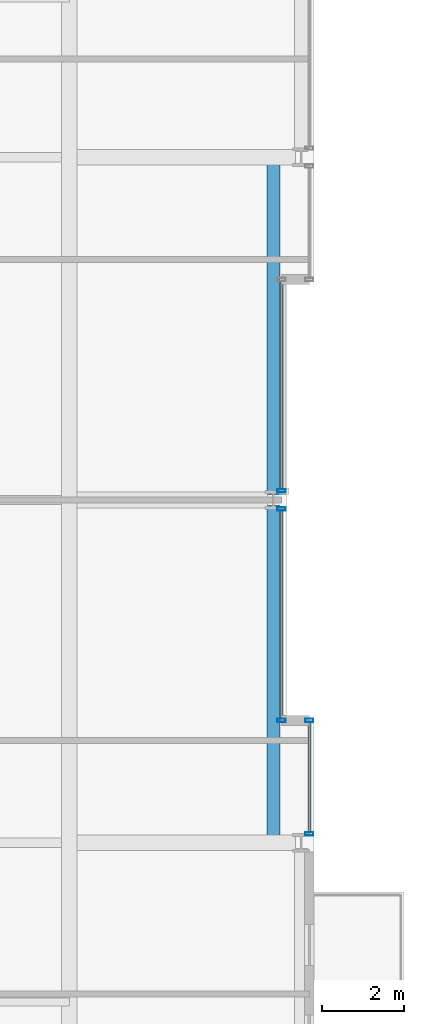
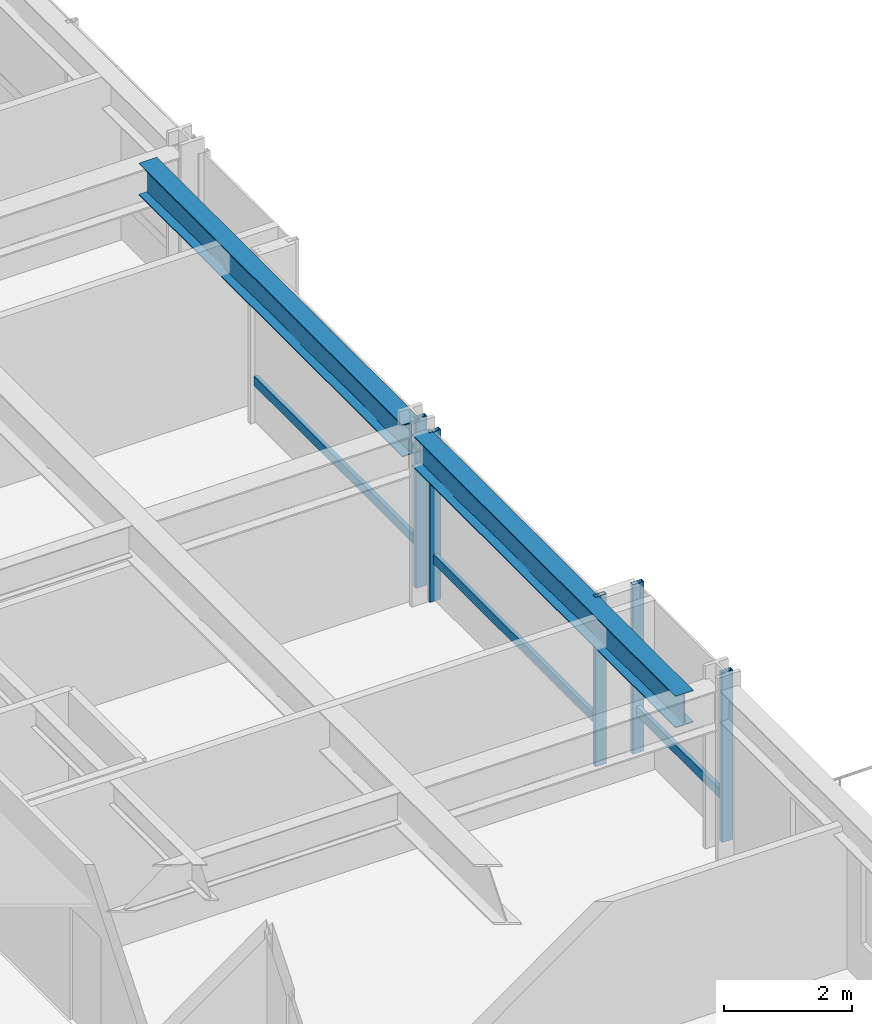
# One storey, part 15 of 35: 8 members, 2 beams, 3 elements without a shape of their own.
"""IFC4 building model written with IfcOpenShell, lengths in metres."""

from ifc_helpers import new_model, si_unit, direction, frame, origin, origin_2d, place, context, subcontext, project, spatial, hollow_rectangle, i_section, extrude, material, layer, layer_set, material_profile, profile_set, type_object, element, aggregate, save


model = new_model("IFC4")

# Units and contexts
model_context = context("Model", 3, precision=1e-05, world=origin(), true_north=direction((0.0, 1.0)))
body_context = subcontext(model_context, "Body", "Model", "MODEL_VIEW")
ifc_project = project(units=[si_unit("LENGTHUNIT", "METRE"), si_unit("AREAUNIT", "SQUARE_METRE"), si_unit("VOLUMEUNIT", "CUBIC_METRE"), si_unit("PLANEANGLEUNIT", "RADIAN"), si_unit("MASSUNIT", "GRAM", prefix="KILO")], contexts=[model_context])

# Site, building, storey
site_placement = place(None, origin())
site = spatial("IfcSite", under=ifc_project, at=site_placement, CompositionType="ELEMENT")
building_placement = place(site_placement, origin())
building = spatial("IfcBuilding", under=site, at=building_placement, Name="Drelvath Grand Hotel", CompositionType="ELEMENT")
storey_placement = place(building_placement, frame((0.0, 0.0, 95.300048828125)))
storey = spatial("IfcBuildingStorey", under=building, at=storey_placement, Name="L23", CompositionType="ELEMENT", Elevation=95.300048828125)

# Curtain wall, member
ifc_material_1 = material(Name="Champagne Bronze Anodised Aluminium Frame", Category="aluminium")
ifc_layer = layer(ifc_material_1, 0.199951171875)
ifc_layer_set = layer_set([ifc_layer], Name="Champagne Bronze Anodised Aluminium Frame")
curtain_wall_type = type_object("IfcCurtainWallType", Name="Stick Curtain Wall CW-03 Champagne Bronze Mid-Rise", PredefinedType="NOTDEFINED", material=ifc_layer_set)
curtain_wall_1_placement = place(storey_placement, origin())
curtain_wall_1 = element("IfcCurtainWall", 1, at=curtain_wall_1_placement, inside=storey, type_object=curtain_wall_type, Name="L23 CW-03 Curtain Wall CW03-L23-EM1", PredefinedType="NOTDEFINED")
ifc_material_profile_1 = material_profile(ifc_material_1, hollow_rectangle(XDim=0.074951171875, YDim=0.179931640625, WallThickness=0.0048828125, at=origin_2d()), Name="HSS180X75X5")
ifc_profile_set_1 = profile_set([ifc_material_profile_1], Name="Champagne Bronze Anodised Aluminium Frame")
member_type_1 = type_object("IfcMemberType", Name="Curtain Wall Horizontal Transom CW-03 HSS180X75X5", PredefinedType="USERDEFINED", material=ifc_profile_set_1)
member_1_placement = place(storey_placement, frame((21.39990234375, 26.740478515625, 0.81005859375), z_axis=(0.0, -1.0, 0.0), x_axis=(1.0, 0.0, 0.0)))
member_1 = element("IfcMember", 2, at=member_1_placement, type_object=member_type_1, Name="CW03-L23-EM1 Sill Transom", ObjectType="TRANSOM", PredefinedType="USERDEFINED", context=body_context, shape_type="SweptSolid", body=[
    extrude(hollow_rectangle(XDim=0.074951171875, YDim=0.179931640625, WallThickness=0.0048828125, at=origin_2d()), origin(), (0.0, 0.0, 1.0), 5.1005859375),
])

curtain_wall_2_placement = place(storey_placement, origin())
curtain_wall_2 = element("IfcCurtainWall", 3, at=curtain_wall_2_placement, inside=storey, type_object=curtain_wall_type, Name="L23 CW-03 Curtain Wall CW03-L23-EM2", PredefinedType="NOTDEFINED")
member_2_placement = place(storey_placement, frame((21.39990234375, 32.360107421875, 0.81005859375), z_axis=(0.0, -1.0, 0.0), x_axis=(1.0, 0.0, 0.0)))
member_2 = element("IfcMember", 4, at=member_2_placement, type_object=member_type_1, Name="CW03-L23-EM2 Sill Transom", ObjectType="TRANSOM", PredefinedType="USERDEFINED", context=body_context, shape_type="SweptSolid", body=[
    extrude(hollow_rectangle(XDim=0.074951171875, YDim=0.179931640625, WallThickness=0.0048828125, at=origin_2d()), origin(), (0.0, 0.0, 1.0), 5.1005859375),
])

curtain_wall_3_placement = place(storey_placement, origin())
curtain_wall_3 = element("IfcCurtainWall", 5, at=curtain_wall_3_placement, inside=storey, type_object=curtain_wall_type, Name="L23 CW-03 Curtain Wall CW03-L23-ES3", PredefinedType="NOTDEFINED")
member_3_placement = place(storey_placement, frame((22.080078125, 21.56005859375, 0.81005859375), z_axis=(0.0, -1.0, 0.0), x_axis=(1.0, 0.0, 0.0)))
member_3 = element("IfcMember", 6, at=member_3_placement, type_object=member_type_1, Name="CW03-L23-ES3 Sill Transom", ObjectType="TRANSOM", PredefinedType="USERDEFINED", context=body_context, shape_type="SweptSolid", body=[
    extrude(hollow_rectangle(XDim=0.074951171875, YDim=0.179931640625, WallThickness=0.0048828125, at=origin_2d()), origin(), (0.0, 0.0, 1.0), 2.700439453125),
])

# Member
ifc_material_profile_2 = material_profile(ifc_material_1, hollow_rectangle(XDim=0.080078125, YDim=0.199951171875, WallThickness=0.0048828125, at=origin_2d()), Name="HSS200X80X5")
ifc_profile_set_2 = profile_set([ifc_material_profile_2], Name="Champagne Bronze Anodised Aluminium Frame")
member_type_2 = type_object("IfcMemberType", Name="Curtain Wall Vertical Mullion CW-03 HSS200X80X5", PredefinedType="MULLION", material=ifc_profile_set_2)
member_4_placement = place(storey_placement, frame((21.39990234375, 26.780517578125, 0.0), z_axis=(0.0, 0.0, 1.0), x_axis=(0.0, 1.0, 0.0)))
member_4 = element("IfcMember", 7, at=member_4_placement, type_object=member_type_2, Name="CW03-L23-EM1 Mullion 1", PredefinedType="MULLION", context=body_context, shape_type="SweptSolid", body=[
    extrude(hollow_rectangle(XDim=0.080078125, YDim=0.199951171875, WallThickness=0.0048828125, at=origin_2d()), origin(), (0.0, 0.0, 1.0), 3.239990234375),
])

member_5_placement = place(storey_placement, frame((21.39990234375, 21.60009765625, 0.0), z_axis=(0.0, 0.0, 1.0), x_axis=(0.0, 1.0, 0.0)))
member_5 = element("IfcMember", 8, at=member_5_placement, type_object=member_type_2, Name="CW03-L23-EM1 Mullion 2", PredefinedType="MULLION", context=body_context, shape_type="SweptSolid", body=[
    extrude(hollow_rectangle(XDim=0.080078125, YDim=0.199951171875, WallThickness=0.0048828125, at=origin_2d()), origin(), (0.0, 0.0, 1.0), 3.239990234375),
])

aggregate(curtain_wall_1, [member_4, member_5, member_1])

member_6_placement = place(storey_placement, frame((21.39990234375, 27.219482421875, 0.0), z_axis=(0.0, 0.0, 1.0), x_axis=(0.0, 1.0, 0.0)))
member_6 = element("IfcMember", 9, at=member_6_placement, type_object=member_type_2, Name="CW03-L23-EM2 Mullion 2", PredefinedType="MULLION", context=body_context, shape_type="SweptSolid", body=[
    extrude(hollow_rectangle(XDim=0.080078125, YDim=0.199951171875, WallThickness=0.0048828125, at=origin_2d()), origin(), (0.0, 0.0, 1.0), 3.239990234375),
])

aggregate(curtain_wall_2, [member_6, member_2])

member_7_placement = place(storey_placement, frame((22.080078125, 21.60009765625, 0.0), z_axis=(0.0, 0.0, 1.0), x_axis=(0.0, 1.0, 0.0)))
member_7 = element("IfcMember", 10, at=member_7_placement, type_object=member_type_2, Name="CW03-L23-ES3 Mullion 1", PredefinedType="MULLION", context=body_context, shape_type="SweptSolid", body=[
    extrude(hollow_rectangle(XDim=0.080078125, YDim=0.199951171875, WallThickness=0.0048828125, at=origin_2d()), origin(), (0.0, 0.0, 1.0), 3.239990234375),
])

member_8_placement = place(storey_placement, frame((22.080078125, 18.819580078125, 0.0), z_axis=(0.0, 0.0, 1.0), x_axis=(0.0, 1.0, 0.0)))
member_8 = element("IfcMember", 11, at=member_8_placement, type_object=member_type_2, Name="CW03-L23-ES3 Mullion 2", PredefinedType="MULLION", context=body_context, shape_type="SweptSolid", body=[
    extrude(hollow_rectangle(XDim=0.080078125, YDim=0.199951171875, WallThickness=0.0048828125, at=origin_2d()), origin(), (0.0, 0.0, 1.0), 3.239990234375),
])

aggregate(curtain_wall_3, [member_7, member_8, member_3])

# Beams
ifc_material_2 = material(Name="Steel ASTM A992 Gr 50", Category="steel")
ifc_material_profile_3 = material_profile(ifc_material_2, i_section(OverallWidth=0.323974609375, OverallDepth=0.611083984375, WebThickness=0.0126953125, FlangeThickness=0.01904296875, FilletRadius=0.02197265625, at=origin_2d()), Name="W24X104")
ifc_profile_set_3 = profile_set([ifc_material_profile_3], Name="Steel ASTM A992 Gr 50")
beam_type = type_object("IfcBeamType", Name="Perimeter Spandrel Beam W24X104", PredefinedType="SPANDREL", material=ifc_profile_set_3)
for number, where, z_axis, x_axis, name in (
    (12, (21.199951171875, 18.60009765625, 2.9345703125), (0.0, 1.0, 0.0), (-1.0, 0.0, 0.0), "L23 Spandrel East Mid S"),
    (13, (21.199951171875, 27.139892578125, 2.9345703125), (0.0, 1.0, 0.0), (-1.0, 0.0, 0.0), "L23 Spandrel East Mid N"),
):
    element("IfcBeam", number, at=place(storey_placement, frame(where, z_axis=z_axis, x_axis=x_axis)), inside=storey, type_object=beam_type, Name=name, PredefinedType="SPANDREL", context=body_context, shape_type="SweptSolid", body=[
        extrude(i_section(OverallWidth=0.323974609375, OverallDepth=0.611083984375, WebThickness=0.0126953125, FlangeThickness=0.01904296875, FilletRadius=0.02197265625, at=origin_2d()), origin(), (0.0, 0.0, 1.0), 8.260009765625),
    ])

save(model, "model.ifc")
